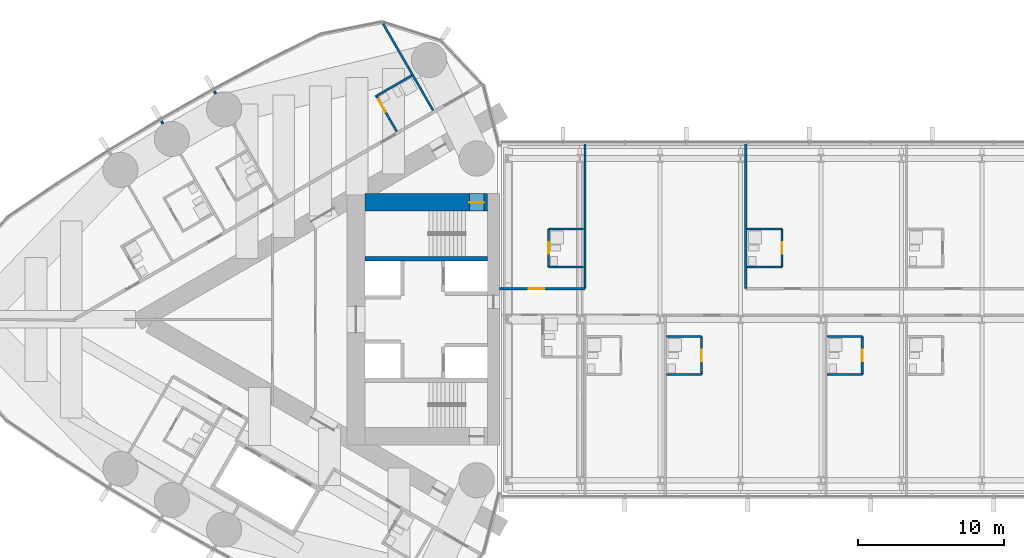
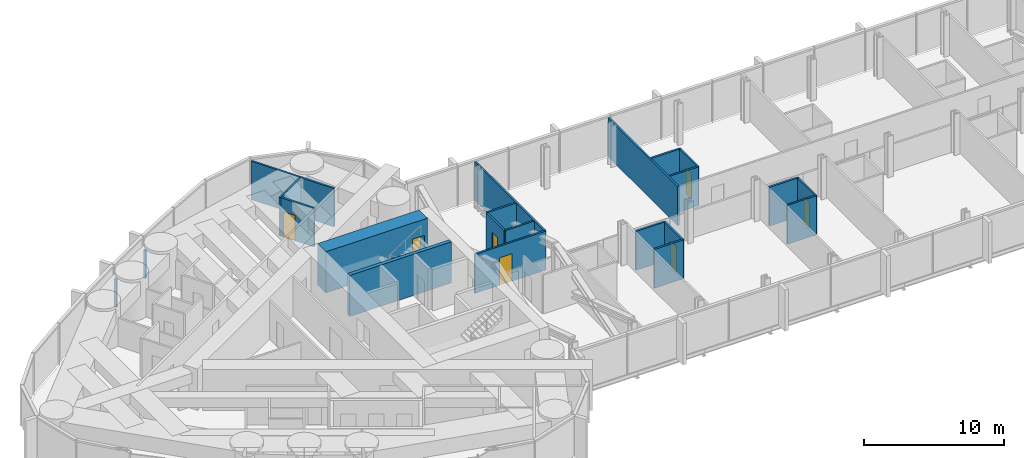
# One storey, part 17 of 23: 22 walls, 7 doors, 7 openings.
"""IFC4 building model written with IfcOpenShell, lengths in metres."""

from ifc_helpers import new_model, si_unit, direction, frame, frame_2d, origin, place, context, subcontext, project, spatial, rectangle, extrude, material, layer, layer_set, type_object, element, fill, save


model = new_model("IFC4")

# Units and contexts
model_context = context("Model", 3, precision=1e-05, world=origin(), true_north=direction((0.0, 1.0)))
body_context = subcontext(model_context, "Body", "Model", "MODEL_VIEW")
ifc_project = project(units=[si_unit("LENGTHUNIT", "METRE"), si_unit("AREAUNIT", "SQUARE_METRE"), si_unit("VOLUMEUNIT", "CUBIC_METRE"), si_unit("PLANEANGLEUNIT", "RADIAN"), si_unit("MASSUNIT", "GRAM", prefix="KILO")], contexts=[model_context])

# Site, building, storey
site_placement = place(None, origin())
site = spatial("IfcSite", under=ifc_project, at=site_placement, CompositionType="ELEMENT")
building_placement = place(site_placement, origin())
building = spatial("IfcBuilding", under=site, at=building_placement, Name="Lancet Gate Hotel", CompositionType="ELEMENT")
storey_placement = place(building_placement, frame((0.0, 0.0, 240.5)))
storey = spatial("IfcBuildingStorey", under=building, at=storey_placement, Name="L64", CompositionType="ELEMENT", Elevation=240.5)

# Wall
ifc_material_1 = material(Name="Moisture resistant board partition")
ifc_layer_1 = layer(ifc_material_1, 0.14990234375)
ifc_layer_set_1 = layer_set([ifc_layer_1], Name="Bathroom wall 150")
wall_type_1 = type_object("IfcWallType", Name="Bathroom wall 150", PredefinedType="PARTITIONING", material=ifc_layer_set_1)
wall_1_placement = place(storey_placement, frame((-33.486572265625, 16.6748046875, 0.0), z_axis=(0.0, 0.0, 1.0), x_axis=(-0.866039941686, -0.499974818771, 0.0)))
element("IfcWall", 1, at=wall_1_placement, inside=storey, type_object=wall_type_1, Name="T1 bathroom wall 150 L64", PredefinedType="PARTITIONING", context=body_context, shape_type="SweptSolid", body=[
    extrude(rectangle(XDim=2.875244140625, YDim=0.14990234375, at=frame_2d((1.4375, 0.0))), origin(), (0.0, 0.0, 1.0), 3.35009765625),
])

# Wall, opening, door
wall_2_placement = place(storey_placement, frame((-34.511474609375, 12.849853515625, 0.0), z_axis=(0.0, 0.0, 1.0), x_axis=(-0.500011755427, 0.866018616679, 0.0)))
wall_2 = element("IfcWall", 2, at=wall_2_placement, inside=storey, type_object=wall_type_1, Name="T1 bathroom wall 150 L64", PredefinedType="PARTITIONING", context=body_context, shape_type="SweptSolid", body=[
    extrude(rectangle(XDim=2.80029296875, YDim=0.14990234375, at=frame_2d((1.400146484375, 0.0))), origin(), (0.0, 0.0, 1.0), 3.35009765625),
])
opening_1_placement = place(wall_2_placement, frame((1.550048828125, 0.0, 0.0)))
opening_1 = element("IfcOpeningElement", 3, at=opening_1_placement, cuts=wall_2, Name="Opening 6402-B", PredefinedType="OPENING", context=body_context, shape_type="SweptSolid", body=[
    extrude(rectangle(XDim=1.0, YDim=2.199951171875, at=frame_2d((0.5, 1.10009765625))), frame((0.0, 0.0849609375, 0.0), z_axis=(0.0, -1.0, 0.0), x_axis=(1.0, 0.0, 0.0)), (0.0, 0.0, 1.0), 0.169921875),
])
ifc_material_2 = material(Name="Timber door set", Category="wood")
door_type_1 = type_object("IfcDoorType", Name="Accessible en-suite door 1000", OperationType="SINGLE_SWING_RIGHT", PredefinedType="DOOR", material=ifc_material_2)
door_1_placement = place(opening_1_placement, origin())
door_1 = element("IfcDoor", 4, at=door_1_placement, inside=storey, type_object=door_type_1, Name="6402-B", OperationType="SINGLE_SWING_RIGHT", OverallHeight=2.199951171875, OverallWidth=1.0, PredefinedType="DOOR", context=body_context, shape_type="SweptSolid", body=[
    extrude(rectangle(XDim=1.0, YDim=2.199951171875, at=frame_2d((0.5, 1.10009765625))), frame((0.0, 0.02490234375, 0.0), z_axis=(0.0, -1.0, 0.0), x_axis=(1.0, 0.0, 0.0)), (0.0, 0.0, 1.0), 0.050048828125),
])
fill(opening_1, door_1)

# Walls
for number, where, z_axis, x_axis, name in (
    (5, (-16.074951171875, -3.77490234375, 0.0), (0.0, 0.0, 1.0), (1.0, 0.0, 0.0), "Bridge block bathroom wall 150 L64"),
    (6, (-16.074951171875, -1.175048828125, 0.0), (0.0, 0.0, 1.0), (1.0, 0.0, 0.0), "Bridge block bathroom wall 150 L64"),
):
    element("IfcWall", number, at=place(storey_placement, frame(where, z_axis=z_axis, x_axis=x_axis)), inside=storey, type_object=wall_type_1, Name=name, PredefinedType="PARTITIONING", context=body_context, shape_type="SweptSolid", body=[
        extrude(rectangle(XDim=2.39990234375, YDim=0.14990234375, at=frame_2d((1.199951171875, 0.0))), origin(), (0.0, 0.0, 1.0), 3.39990234375),
    ])

# Wall, opening, door
wall_3_placement = place(storey_placement, frame((-13.675048828125, -3.77490234375, 0.0), z_axis=(0.0, 0.0, 1.0), x_axis=(0.0, 1.0, 0.0)))
wall_3 = element("IfcWall", 7, at=wall_3_placement, inside=storey, type_object=wall_type_1, Name="Bridge block bathroom wall 150 L64", PredefinedType="PARTITIONING", context=body_context, shape_type="SweptSolid", body=[
    extrude(rectangle(XDim=2.599853515625, YDim=0.14990234375, at=frame_2d((1.2998046875, 0.0))), origin(), (0.0, 0.0, 1.0), 3.39990234375),
])
opening_2_placement = place(wall_3_placement, frame((0.89990234375, 0.0, 0.0)))
opening_2 = element("IfcOpeningElement", 8, at=opening_2_placement, cuts=wall_3, Name="Opening B6403-B", PredefinedType="OPENING", context=body_context, shape_type="SweptSolid", body=[
    extrude(rectangle(XDim=0.800048828125, YDim=2.199951171875, at=frame_2d((0.39990234375, 1.10009765625))), frame((0.0, 0.0849609375, 0.0), z_axis=(0.0, -1.0, 0.0), x_axis=(1.0, 0.0, 0.0)), (0.0, 0.0, 1.0), 0.169921875),
])
ifc_material_3 = material(Name="Timber door set", Category="wood")
door_type_2 = type_object("IfcDoorType", Name="Bathroom door 800", OperationType="SINGLE_SWING_RIGHT", PredefinedType="DOOR", material=ifc_material_3)
door_2_placement = place(opening_2_placement, origin())
door_2 = element("IfcDoor", 9, at=door_2_placement, inside=storey, type_object=door_type_2, Name="B6403-B", OperationType="SINGLE_SWING_RIGHT", OverallHeight=2.199951171875, OverallWidth=0.800048828125, PredefinedType="DOOR", context=body_context, shape_type="SweptSolid", body=[
    extrude(rectangle(XDim=0.800048828125, YDim=2.199951171875, at=frame_2d((0.39990234375, 1.10009765625))), frame((0.0, 0.02490234375, 0.0), z_axis=(0.0, -1.0, 0.0), x_axis=(1.0, 0.0, 0.0)), (0.0, 0.0, 1.0), 0.050048828125),
])
fill(opening_2, door_2)

# Walls
for number, where, z_axis, x_axis, name in (
    (10, (-5.074951171875, -3.77490234375, 0.0), (0.0, 0.0, 1.0), (1.0, 0.0, 0.0), "Bridge block bathroom wall 150 L64"),
    (11, (-5.074951171875, -1.175048828125, 0.0), (0.0, 0.0, 1.0), (1.0, 0.0, 0.0), "Bridge block bathroom wall 150 L64"),
):
    element("IfcWall", number, at=place(storey_placement, frame(where, z_axis=z_axis, x_axis=x_axis)), inside=storey, type_object=wall_type_1, Name=name, PredefinedType="PARTITIONING", context=body_context, shape_type="SweptSolid", body=[
        extrude(rectangle(XDim=2.39990234375, YDim=0.14990234375, at=frame_2d((1.199951171875, 0.0))), origin(), (0.0, 0.0, 1.0), 3.39990234375),
    ])

# Wall, opening, door
wall_4_placement = place(storey_placement, frame((-2.675048828125, -3.77490234375, 0.0), z_axis=(0.0, 0.0, 1.0), x_axis=(0.0, 1.0, 0.0)))
wall_4 = element("IfcWall", 12, at=wall_4_placement, inside=storey, type_object=wall_type_1, Name="Bridge block bathroom wall 150 L64", PredefinedType="PARTITIONING", context=body_context, shape_type="SweptSolid", body=[
    extrude(rectangle(XDim=2.599853515625, YDim=0.14990234375, at=frame_2d((1.2998046875, 0.0))), origin(), (0.0, 0.0, 1.0), 3.39990234375),
])
opening_3_placement = place(wall_4_placement, frame((0.89990234375, 0.0, 0.0)))
opening_3 = element("IfcOpeningElement", 13, at=opening_3_placement, cuts=wall_4, Name="Opening B6405-B", PredefinedType="OPENING", context=body_context, shape_type="SweptSolid", body=[
    extrude(rectangle(XDim=0.800048828125, YDim=2.199951171875, at=frame_2d((0.39990234375, 1.10009765625))), frame((0.0, 0.0849609375, 0.0), z_axis=(0.0, -1.0, 0.0), x_axis=(1.0, 0.0, 0.0)), (0.0, 0.0, 1.0), 0.169921875),
])
door_3_placement = place(opening_3_placement, origin())
door_3 = element("IfcDoor", 14, at=door_3_placement, inside=storey, type_object=door_type_2, Name="B6405-B", OperationType="SINGLE_SWING_RIGHT", OverallHeight=2.199951171875, OverallWidth=0.800048828125, PredefinedType="DOOR", context=body_context, shape_type="SweptSolid", body=[
    extrude(rectangle(XDim=0.800048828125, YDim=2.199951171875, at=frame_2d((0.39990234375, 1.10009765625))), frame((0.0, 0.02490234375, 0.0), z_axis=(0.0, -1.0, 0.0), x_axis=(1.0, 0.0, 0.0)), (0.0, 0.0, 1.0), 0.050048828125),
])
fill(opening_3, door_3)

# Walls
for number, where, z_axis, x_axis, name in (
    (15, (-24.125, 6.175048828125, 0.0), (0.0, 0.0, 1.0), (1.0, 0.0, 0.0), "Bridge block bathroom wall 150 L64"),
    (16, (-24.125, 3.574951171875, 0.0), (0.0, 0.0, 1.0), (1.0, 0.0, 0.0), "Bridge block bathroom wall 150 L64"),
):
    element("IfcWall", number, at=place(storey_placement, frame(where, z_axis=z_axis, x_axis=x_axis)), inside=storey, type_object=wall_type_1, Name=name, PredefinedType="PARTITIONING", context=body_context, shape_type="SweptSolid", body=[
        extrude(rectangle(XDim=2.39990234375, YDim=0.14990234375, at=frame_2d((1.199951171875, 0.0))), origin(), (0.0, 0.0, 1.0), 3.39990234375),
    ])

# Wall, opening, door
wall_5_placement = place(storey_placement, frame((-24.125, 3.574951171875, 0.0), z_axis=(0.0, 0.0, 1.0), x_axis=(0.0, 1.0, 0.0)))
wall_5 = element("IfcWall", 17, at=wall_5_placement, inside=storey, type_object=wall_type_1, Name="Bridge block bathroom wall 150 L64", PredefinedType="PARTITIONING", context=body_context, shape_type="SweptSolid", body=[
    extrude(rectangle(XDim=2.60009765625, YDim=0.14990234375, at=frame_2d((1.300048828125, 0.0))), origin(), (0.0, 0.0, 1.0), 3.39990234375),
])
opening_4_placement = place(wall_5_placement, frame((0.89990234375, 0.0, 0.0)))
opening_4 = element("IfcOpeningElement", 18, at=opening_4_placement, cuts=wall_5, Name="Opening B6411-B", PredefinedType="OPENING", context=body_context, shape_type="SweptSolid", body=[
    extrude(rectangle(XDim=0.800048828125, YDim=2.199951171875, at=frame_2d((0.39990234375, 1.10009765625))), frame((0.0, 0.0849609375, 0.0), z_axis=(0.0, -1.0, 0.0), x_axis=(1.0, 0.0, 0.0)), (0.0, 0.0, 1.0), 0.169921875),
])
door_4_placement = place(opening_4_placement, origin())
door_4 = element("IfcDoor", 19, at=door_4_placement, inside=storey, type_object=door_type_2, Name="B6411-B", OperationType="SINGLE_SWING_RIGHT", OverallHeight=2.199951171875, OverallWidth=0.800048828125, PredefinedType="DOOR", context=body_context, shape_type="SweptSolid", body=[
    extrude(rectangle(XDim=0.800048828125, YDim=2.199951171875, at=frame_2d((0.39990234375, 1.10009765625))), frame((0.0, 0.02490234375, 0.0), z_axis=(0.0, -1.0, 0.0), x_axis=(1.0, 0.0, 0.0)), (0.0, 0.0, 1.0), 0.050048828125),
])
fill(opening_4, door_4)

# Walls
for number, where, z_axis, x_axis, name in (
    (20, (-10.574951171875, 6.175048828125, 0.0), (0.0, 0.0, 1.0), (1.0, 0.0, 0.0), "Bridge block bathroom wall 150 L64"),
    (21, (-10.574951171875, 3.574951171875, 0.0), (0.0, 0.0, 1.0), (1.0, 0.0, 0.0), "Bridge block bathroom wall 150 L64"),
):
    element("IfcWall", number, at=place(storey_placement, frame(where, z_axis=z_axis, x_axis=x_axis)), inside=storey, type_object=wall_type_1, Name=name, PredefinedType="PARTITIONING", context=body_context, shape_type="SweptSolid", body=[
        extrude(rectangle(XDim=2.39990234375, YDim=0.14990234375, at=frame_2d((1.199951171875, 0.0))), origin(), (0.0, 0.0, 1.0), 3.39990234375),
    ])

# Wall, opening, door
wall_6_placement = place(storey_placement, frame((-8.175048828125, 3.574951171875, 0.0), z_axis=(0.0, 0.0, 1.0), x_axis=(0.0, 1.0, 0.0)))
wall_6 = element("IfcWall", 22, at=wall_6_placement, inside=storey, type_object=wall_type_1, Name="Bridge block bathroom wall 150 L64", PredefinedType="PARTITIONING", context=body_context, shape_type="SweptSolid", body=[
    extrude(rectangle(XDim=2.60009765625, YDim=0.14990234375, at=frame_2d((1.300048828125, 0.0))), origin(), (0.0, 0.0, 1.0), 3.39990234375),
])
opening_5_placement = place(wall_6_placement, frame((0.89990234375, 0.0, 0.0)))
opening_5 = element("IfcOpeningElement", 23, at=opening_5_placement, cuts=wall_6, Name="Opening B6414-B", PredefinedType="OPENING", context=body_context, shape_type="SweptSolid", body=[
    extrude(rectangle(XDim=0.800048828125, YDim=2.199951171875, at=frame_2d((0.39990234375, 1.10009765625))), frame((0.0, 0.0849609375, 0.0), z_axis=(0.0, -1.0, 0.0), x_axis=(1.0, 0.0, 0.0)), (0.0, 0.0, 1.0), 0.169921875),
])
door_5_placement = place(opening_5_placement, origin())
door_5 = element("IfcDoor", 24, at=door_5_placement, inside=storey, type_object=door_type_2, Name="B6414-B", OperationType="SINGLE_SWING_RIGHT", OverallHeight=2.199951171875, OverallWidth=0.800048828125, PredefinedType="DOOR", context=body_context, shape_type="SweptSolid", body=[
    extrude(rectangle(XDim=0.800048828125, YDim=2.199951171875, at=frame_2d((0.39990234375, 1.10009765625))), frame((0.0, 0.02490234375, 0.0), z_axis=(0.0, -1.0, 0.0), x_axis=(1.0, 0.0, 0.0)), (0.0, 0.0, 1.0), 0.050048828125),
])
fill(opening_5, door_5)

ifc_material_4 = material(Name="Gypsum board partition")
ifc_layer_2 = layer(ifc_material_4, 0.14990234375)
ifc_layer_set_2 = layer_set([ifc_layer_2], Name="Block corridor wall 150")
wall_type_2 = type_object("IfcWallType", Name="Block corridor wall 150", PredefinedType="PARTITIONING", material=ifc_layer_set_2)
wall_7_placement = place(storey_placement, frame((-27.5, 2.10009765625, 0.0), z_axis=(0.0, 0.0, 1.0), x_axis=(1.0, 0.0, 0.0)))
wall_7 = element("IfcWall", 25, at=wall_7_placement, inside=storey, type_object=wall_type_2, Name="Bridge block block corridor wall 150 L64", PredefinedType="PARTITIONING", context=body_context, shape_type="SweptSolid", body=[
    extrude(rectangle(XDim=5.85009765625, YDim=0.14990234375, at=frame_2d((2.925048828125, 0.0))), origin(), (0.0, 0.0, 1.0), 3.39990234375),
])
opening_6_placement = place(wall_7_placement, frame((2.02490234375, 0.0, 0.0)))
opening_6 = element("IfcOpeningElement", 26, at=opening_6_placement, cuts=wall_7, Name="Opening B6411", PredefinedType="OPENING", context=body_context, shape_type="SweptSolid", body=[
    extrude(rectangle(XDim=1.050048828125, YDim=2.39990234375, at=frame_2d((0.52490234375, 1.199951171875))), frame((0.0, 0.0849609375, 0.0), z_axis=(0.0, -1.0, 0.0), x_axis=(1.0, 0.0, 0.0)), (0.0, 0.0, 1.0), 0.169921875),
])
ifc_material_5 = material(Name="Timber door set", Category="wood")
door_type_3 = type_object("IfcDoorType", Name="Suite entry door 1050", OperationType="SINGLE_SWING_LEFT", PredefinedType="DOOR", material=ifc_material_5)
door_6_placement = place(opening_6_placement, origin())
door_6 = element("IfcDoor", 27, at=door_6_placement, inside=storey, type_object=door_type_3, Name="B6411", OperationType="SINGLE_SWING_LEFT", OverallHeight=2.39990234375, OverallWidth=1.050048828125, PredefinedType="DOOR", context=body_context, shape_type="SweptSolid", body=[
    extrude(rectangle(XDim=1.050048828125, YDim=2.39990234375, at=frame_2d((0.52490234375, 1.199951171875))), frame((0.0, 0.02490234375, 0.0), z_axis=(0.0, -1.0, 0.0), x_axis=(1.0, 0.0, 0.0)), (0.0, 0.0, 1.0), 0.050048828125),
])
fill(opening_6, door_6)

ifc_material_6 = material(Name="Concrete C70/85", Category="concrete")
ifc_layer_3 = layer(ifc_material_6, 1.199951171875)
ifc_layer_set_3 = layer_set([ifc_layer_3], Name="Core wall 1200")
wall_type_3 = type_object("IfcWallType", Name="Core wall 1200", PredefinedType="SHEAR", material=ifc_layer_set_3)
wall_8_placement = place(storey_placement, frame((-28.300048828125, 8.0, 0.0), z_axis=(0.0, 0.0, 1.0), x_axis=(-1.0, 0.0, 0.0)))
wall_8 = element("IfcWall", 28, at=wall_8_placement, inside=storey, type_object=wall_type_3, Name="T1 core wall side-S L64", PredefinedType="SHEAR", context=body_context, shape_type="SweptSolid", body=[
    extrude(rectangle(XDim=8.39990234375, YDim=1.199951171875, at=frame_2d((4.199951171875, 0.0))), origin(), (0.0, 0.0, 1.0), 3.60009765625),
])
opening_7_placement = place(wall_8_placement, frame((0.25, 0.0, 0.0)))
opening_7 = element("IfcOpeningElement", 29, at=opening_7_placement, cuts=wall_8, Name="Opening T1-L64-ST1", PredefinedType="OPENING", context=body_context, shape_type="SweptSolid", body=[
    extrude(rectangle(XDim=1.0, YDim=2.199951171875, at=frame_2d((0.5, 1.10009765625))), frame((0.0, 0.60986328125, 0.0), z_axis=(0.0, -1.0, 0.0), x_axis=(1.0, 0.0, 0.0)), (0.0, 0.0, 1.0), 1.219970703125),
])
ifc_material_7 = material(Name="Timber door set", Category="wood")
door_type_4 = type_object("IfcDoorType", Name="Stair door 1000", OperationType="SINGLE_SWING_RIGHT", PredefinedType="DOOR", material=ifc_material_7)
door_7_placement = place(opening_7_placement, origin())
door_7 = element("IfcDoor", 30, at=door_7_placement, inside=storey, type_object=door_type_4, Name="T1-L64-ST1", OperationType="SINGLE_SWING_RIGHT", OverallHeight=2.199951171875, OverallWidth=1.0, PredefinedType="DOOR", context=body_context, shape_type="SweptSolid", body=[
    extrude(rectangle(XDim=1.0, YDim=2.199951171875, at=frame_2d((0.5, 1.10009765625))), frame((0.0, 0.02490234375, 0.0), z_axis=(0.0, -1.0, 0.0), x_axis=(1.0, 0.0, 0.0)), (0.0, 0.0, 1.0), 0.050048828125),
])
fill(opening_7, door_7)

# Walls
ifc_material_8 = material(Name="Gypsum board partition")
ifc_layer_4 = layer(ifc_material_8, 0.14990234375)
ifc_layer_set_4 = layer_set([ifc_layer_4], Name="Party wall 150")
wall_type_4 = type_object("IfcWallType", Name="Party wall 150", PredefinedType="PARTITIONING", material=ifc_layer_set_4)
wall_9_placement = place(storey_placement, frame((-32.021728515625, 14.287353515625, 0.0), z_axis=(0.0, 0.0, 1.0), x_axis=(-0.50000019414, 0.866025291697, 0.0)))
element("IfcWall", 31, at=wall_9_placement, inside=storey, type_object=wall_type_4, Name="T1 party wall 150 L64", PredefinedType="PARTITIONING", context=body_context, shape_type="SweptSolid", body=[
    extrude(rectangle(XDim=6.84814453125, YDim=0.14990234375, at=frame_2d((3.424072265625, 0.0))), origin(), (0.0, 0.0, 1.0), 3.35009765625),
])
wall_10_placement = place(storey_placement, frame((-46.89794921875, 15.438720703125, 0.0), z_axis=(0.0, 0.0, 1.0), x_axis=(-0.500232303069, 0.865891241997, 0.0)))
element("IfcWall", 32, at=wall_10_placement, inside=storey, type_object=wall_type_4, Name="T1 party wall 150 L64", PredefinedType="PARTITIONING", context=body_context, shape_type="SweptSolid", body=[
    extrude(rectangle(XDim=0.1796875, YDim=0.14990234375, at=frame_2d((0.08984375, 0.0))), origin(), (0.0, 0.0, 1.0), 2.449951171875),
])
wall_11_placement = place(storey_placement, frame((-50.507568359375, 13.392333984375, 0.0), z_axis=(0.0, 0.0, 1.0), x_axis=(-0.499644091975, 0.866230789891, 0.0)))
element("IfcWall", 33, at=wall_11_placement, inside=storey, type_object=wall_type_4, Name="T1 party wall 150 L64", PredefinedType="PARTITIONING", context=body_context, shape_type="SweptSolid", body=[
    extrude(rectangle(XDim=0.179931640625, YDim=0.14990234375, at=frame_2d((0.08984375, 0.0))), origin(), (0.0, 0.0, 1.0), 2.449951171875),
])
for number, where, z_axis, x_axis, name in (
    (34, (-21.64990234375, 2.10009765625, 0.0), (0.0, 0.0, 1.0), (0.0, 1.0, 0.0), "Bridge block party wall 150 L64"),
    (35, (-10.64990234375, 2.10009765625, 0.0), (0.0, 0.0, 1.0), (0.0, 1.0, 0.0), "Bridge block party wall 150 L64"),
):
    element("IfcWall", number, at=place(storey_placement, frame(where, z_axis=z_axis, x_axis=x_axis)), inside=storey, type_object=wall_type_4, Name=name, PredefinedType="PARTITIONING", context=body_context, shape_type="SweptSolid", body=[
        extrude(rectangle(XDim=9.969970703125, YDim=0.14990234375, at=frame_2d((4.98486328125, 0.0))), origin(), (0.0, 0.0, 1.0), 3.39990234375),
    ])
ifc_material_9 = material(Name="Concrete C50/60", Category="concrete")
ifc_layer_5 = layer(ifc_material_9, 0.300048828125)
ifc_layer_set_5 = layer_set([ifc_layer_5], Name="Stair enclosure wall 300")
wall_type_5 = type_object("IfcWallType", Name="Stair enclosure wall 300", PredefinedType="SHEAR", material=ifc_layer_set_5)
wall_12_placement = place(storey_placement, frame((-28.300048828125, 4.14990234375, 0.0), z_axis=(0.0, 0.0, 1.0), x_axis=(-1.0, 0.0, 0.0)))
element("IfcWall", 36, at=wall_12_placement, inside=storey, type_object=wall_type_5, Name="T1 core wall stair-S L64", PredefinedType="SHEAR", context=body_context, shape_type="SweptSolid", body=[
    extrude(rectangle(XDim=8.39990234375, YDim=0.300048828125, at=frame_2d((4.199951171875, 0.0))), origin(), (0.0, 0.0, 1.0), 3.60009765625),
])

save(model, "model.ifc")
